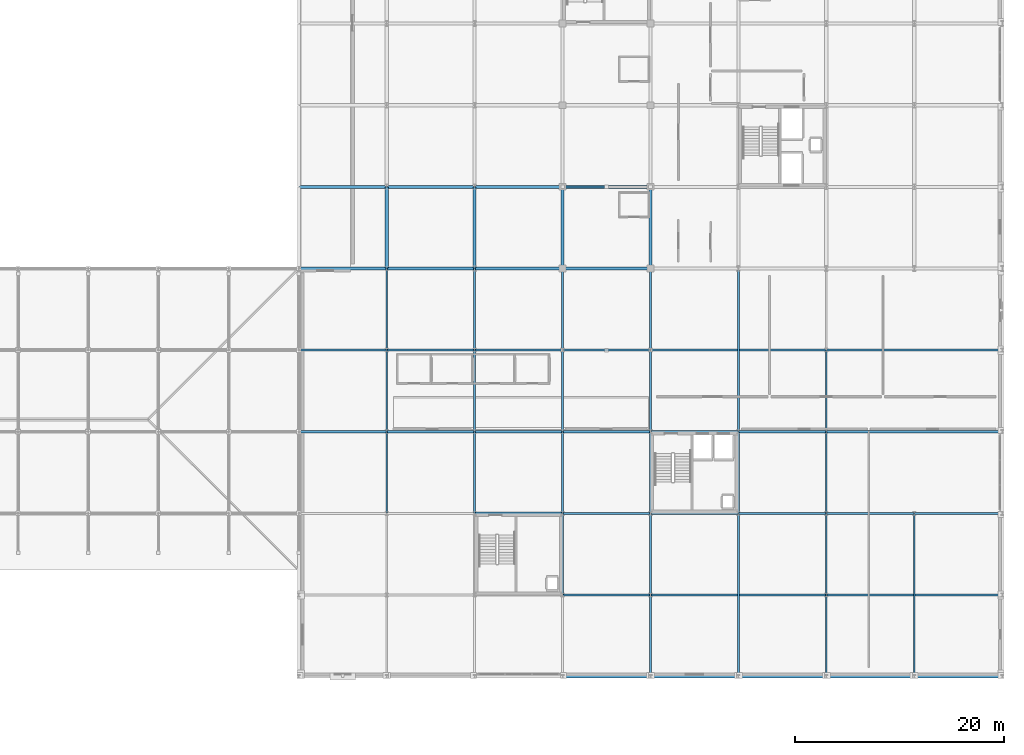
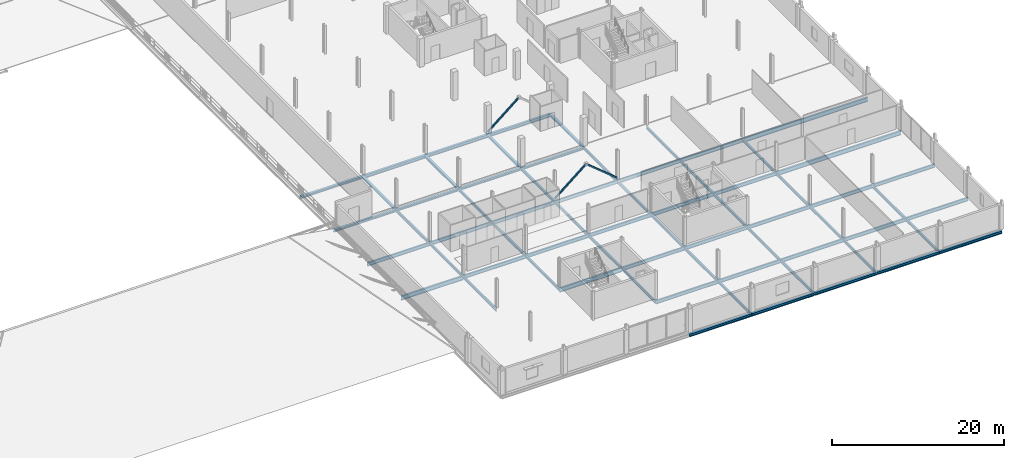
# One storey, part 39 of 77: 62 beams, 3 members.
"""IFC4 building model written with IfcOpenShell, lengths in metres."""

import ifcopenshell
import ifcopenshell.guid

model = None  # the IFC model being written
_history = None  # IfcOwnerHistory: only IFC2X3 demands one
_inside = {}  # id of a spatial element -> (the spatial element, [elements in it])
_under = {}  # id of a project, library or spatial element -> (it, [spatial elements below it])
_declared = {}  # id of a project -> (the project, [libraries it declares])
_typed = {}  # id of a type object -> (the type object, [elements of that type])
_made_of = {}  # id of a material, layer set ... -> (it, [elements and type objects made of it])


def new_model(schema):
    """Start an empty IFC model of exactly this schema.

    Asked for "IFC4X3", IfcOpenShell would pick the latest addendum, in which some entities
    have other attributes; the version numbers below select the first issue.
    IFC2X3 requires an IfcOwnerHistory on every rooted entity: one is made here for all.
    """
    global model, _history
    if schema == "IFC4X3":
        model = ifcopenshell.file(schema_version=(4, 3, 0, 0))
    else:
        model = ifcopenshell.file(schema=schema)
    _inside.clear()
    _under.clear()
    _declared.clear()
    _typed.clear()
    _made_of.clear()
    _history = None
    if model.schema == "IFC2X3":
        org = make("IfcOrganization", Name="unknown")
        user = make(
            "IfcPersonAndOrganization",
            ThePerson=make("IfcPerson", FamilyName="unknown"),
            TheOrganization=org,
        )
        app = make(
            "IfcApplication",
            ApplicationDeveloper=org,
            Version="unknown",
            ApplicationFullName="unknown",
            ApplicationIdentifier="unknown",
        )
        _history = make(
            "IfcOwnerHistory",
            OwningUser=user,
            OwningApplication=app,
            ChangeAction="ADDED",
            CreationDate=0,
        )
    return model


def make(cls, **values):
    """One entity of the class cls with the attributes given. An attribute that is None is left unset."""
    return model.create_entity(
        cls, **{name: value for name, value in values.items() if value is not None}
    )


def rooted(cls, **values):
    """An entity with a GlobalId (a new one), such as an element, a storey or a relation."""
    return make(cls, GlobalId=ifcopenshell.guid.new(), OwnerHistory=_history, **values)


def si_unit(unit_type, name, prefix=None):
    """IfcSIUnit, for example si_unit("LENGTHUNIT", "METRE", prefix="MILLI")."""
    return make("IfcSIUnit", UnitType=unit_type, Prefix=prefix, Name=name)


def assignment(units):
    """IfcUnitAssignment: the units of a project."""
    return None if units is None else make("IfcUnitAssignment", Units=units)


def point(xyz):
    """IfcCartesianPoint."""
    return None if xyz is None else make("IfcCartesianPoint", Coordinates=xyz)


def direction(xyz):
    """IfcDirection."""
    return None if xyz is None else make("IfcDirection", DirectionRatios=xyz)


def frame(location, z_axis=None, x_axis=None):
    """IfcAxis2Placement3D, a coordinate frame: its origin and axes. An axis left out is left unset."""
    return make(
        "IfcAxis2Placement3D",
        Location=point(location),
        Axis=direction(z_axis),
        RefDirection=direction(x_axis),
    )


def frame_2d(location, x_axis=None):
    """IfcAxis2Placement2D, a coordinate frame in the plane: its origin and x axis."""
    return make(
        "IfcAxis2Placement2D", Location=point(location), RefDirection=direction(x_axis)
    )


def origin():
    """The frame at (0, 0, 0) with its axes left unset."""
    return frame((0.0, 0.0, 0.0))


def origin_2d():
    """The frame at (0, 0) in the plane with its x axis left unset."""
    return frame_2d((0.0, 0.0))


def place(relative_to, where):
    """IfcLocalPlacement: puts the frame where relative to a parent placement (None: the world)."""
    return make(
        "IfcLocalPlacement", PlacementRelTo=relative_to, RelativePlacement=where
    )


def context(
    kind, dimensions, precision=None, world=None, true_north=None, identifier=None
):
    """IfcGeometricRepresentationContext, for example the 3D "Model" context."""
    return make(
        "IfcGeometricRepresentationContext",
        ContextIdentifier=identifier,
        ContextType=kind,
        CoordinateSpaceDimension=dimensions,
        Precision=precision,
        WorldCoordinateSystem=world,
        TrueNorth=true_north,
    )


def subcontext(parent, identifier, kind, view, scale=None):
    """IfcGeometricRepresentationSubContext, for example "Body" below "Model"."""
    return make(
        "IfcGeometricRepresentationSubContext",
        ContextIdentifier=identifier,
        ContextType=kind,
        ParentContext=parent,
        TargetScale=scale,
        TargetView=view,
    )


def project(units=None, contexts=None):
    """IfcProject with its units and contexts."""
    return rooted(
        "IfcProject",
        Name="project",
        RepresentationContexts=contexts,
        UnitsInContext=assignment(units),
    )


def spatial(cls, under=None, at=None, **own):
    """A site, building, storey or space (cls), placed at a placement, below another one or the project."""
    s = rooted(cls, ObjectPlacement=at, **own)
    if under is not None:
        _under.setdefault(under.id(), (under, []))[1].append(s)
    return s


def profile(cls, at=None, kind="AREA", **sizes):
    """A parametric profile (cls). Its sizes go by their IFC names, for example OverallWidth=200.0."""
    return make(cls, ProfileType=kind, Position=at, **sizes)


def hollow_rectangle(**sizes):
    """IfcRectangleHollowProfileDef."""
    return profile("IfcRectangleHollowProfileDef", **sizes)


def i_section(**sizes):
    """IfcIShapeProfileDef."""
    return profile("IfcIShapeProfileDef", **sizes)


def extrude(swept, where, along, depth):
    """IfcExtrudedAreaSolid: the profile swept, set in the frame where, extruded along a direction by depth."""
    return make(
        "IfcExtrudedAreaSolid",
        SweptArea=swept,
        Position=where,
        ExtrudedDirection=direction(along),
        Depth=depth,
    )


def shape(context_of_items, identifier, shape_type, items):
    """IfcShapeRepresentation: the items that make up one representation, for example the "Body"."""
    return make(
        "IfcShapeRepresentation",
        ContextOfItems=context_of_items,
        RepresentationIdentifier=identifier,
        RepresentationType=shape_type,
        Items=items,
    )


def material(Name=None, Category=None):
    """IfcMaterial."""
    return make("IfcMaterial", Name=Name, Category=Category)


def material_profile(
    of_material, cross_section, Name=None, Category=None, Priority=None
):
    """IfcMaterialProfile: a cross section and its material."""
    return make(
        "IfcMaterialProfile",
        Name=Name,
        Material=of_material,
        Profile=cross_section,
        Priority=Priority,
        Category=Category,
    )


def profile_set(profiles, Name=None, composite=None):
    """IfcMaterialProfileSet."""
    return make(
        "IfcMaterialProfileSet",
        Name=Name,
        MaterialProfiles=profiles,
        CompositeProfile=composite,
    )


def made_of(thing, what):
    """Note that an element or type object is made of a material, layer set ...; save() writes the relation."""
    if what is not None:
        _made_of.setdefault(what.id(), (what, []))[1].append(thing)
    return thing


def type_object(cls, material=None, **own):
    """A type object (cls), such as IfcWallType, which elements share."""
    return made_of(rooted(cls, **own), material)


def element(
    cls,
    number,
    at=None,
    inside=None,
    cuts=None,
    type_object=None,
    material=None,
    context=None,
    identifier="Body",
    shape_type=None,
    held_by="IfcProductDefinitionShape",
    body=None,
    shapes=None,
    **own,
):
    """One element of the class cls, such as IfcWall. Its Tag is "e" and its number.

    at: its placement. inside: the storey or other place that contains it. cuts: it is an
    opening in that element (IfcRelVoidsElement). A single representation is given by context,
    identifier, shape_type and body (its items); several are given by shapes. held_by: the class
    of the entity that holds the representations. save() writes the other relations.
    """
    e = rooted(cls, Tag="e%d" % number, ObjectPlacement=at, **own)
    if body is not None:
        shapes = [shape(context, identifier, shape_type, body)]
    if shapes is not None:
        e.Representation = make(held_by, Representations=shapes)
    if inside is not None:
        _inside.setdefault(inside.id(), (inside, []))[1].append(e)
    if cuts is not None:
        rooted(
            "IfcRelVoidsElement", RelatingBuildingElement=cuts, RelatedOpeningElement=e
        )
    if type_object is not None:
        _typed.setdefault(type_object.id(), (type_object, []))[1].append(e)
    return made_of(e, material)


def aggregate(whole, parts):
    """IfcRelAggregates: a whole, such as a stair, and the parts it consists of."""
    return rooted("IfcRelAggregates", RelatingObject=whole, RelatedObjects=parts)


def save(model, path):
    """Write the relations noted so far, then the file.

    IfcRelAggregates (storeys below a building ...), IfcRelContainedInSpatialStructure (elements
    in a storey), IfcRelDefinesByType, IfcRelAssociatesMaterial and IfcRelDeclares: one each for
    every whole, place, type object, material and project.
    """
    for whole, parts in _under.values():
        aggregate(whole, parts)
    for where, things in _inside.values():
        rooted(
            "IfcRelContainedInSpatialStructure",
            RelatedElements=things,
            RelatingStructure=where,
        )
    for kind, things in _typed.values():
        rooted("IfcRelDefinesByType", RelatedObjects=things, RelatingType=kind)
    for what, things in _made_of.values():
        rooted("IfcRelAssociatesMaterial", RelatedObjects=things, RelatingMaterial=what)
    for by, libraries in _declared.values():
        rooted("IfcRelDeclares", RelatingContext=by, RelatedDefinitions=libraries)
    model.write(path)


model = new_model("IFC4")

# Units and contexts
model_context = context("Model", 3, precision=1e-05, world=origin(), true_north=direction((0.0, 1.0)))
body_context = subcontext(model_context, "Body", "Model", "MODEL_VIEW")
ifc_project = project(units=[si_unit("LENGTHUNIT", "METRE"), si_unit("AREAUNIT", "SQUARE_METRE"), si_unit("VOLUMEUNIT", "CUBIC_METRE"), si_unit("PLANEANGLEUNIT", "RADIAN"), si_unit("MASSUNIT", "GRAM", prefix="KILO")], contexts=[model_context])

# Site, building, storey
site_placement = place(None, origin())
site = spatial("IfcSite", under=ifc_project, at=site_placement, CompositionType="ELEMENT")
building_placement = place(site_placement, origin())
building = spatial("IfcBuilding", under=site, at=building_placement, Name="Nabrawat Pavilion Hospital", CompositionType="ELEMENT")
storey_placement = place(building_placement, frame((0.0, 0.0, 14.85009765625)))
storey = spatial("IfcBuildingStorey", under=building, at=storey_placement, Name="L03", CompositionType="ELEMENT", Elevation=14.85009765625)

# Beams
ifc_material = material(Name="Steel S355", Category="steel")
ifc_material_profile_1 = material_profile(ifc_material, i_section(OverallWidth=0.300048828125, OverallDepth=0.43994140625, WebThickness=0.011474609375, FlangeThickness=0.02099609375, FilletRadius=0.027099609375, at=origin_2d()), Name="HEA 450")
ifc_profile_set_1 = profile_set([ifc_material_profile_1], Name="Steel S355")
beam_type_1 = type_object("IfcBeamType", Name="Mid-Tier Ward Girder HEA 450", PredefinedType="USERDEFINED", material=ifc_profile_set_1)
beam_1_placement = place(storey_placement, frame((134.419921875, 46.800048828125, -0.460205078125), z_axis=(1.0, 0.0, 0.0), x_axis=(0.0, 1.0, 0.0)))
element("IfcBeam", 1, at=beam_1_placement, inside=storey, type_object=beam_type_1, Name="L03 Primary X Girder 1484", ObjectType="GIRDER", PredefinedType="USERDEFINED", context=body_context, shape_type="SweptSolid", body=[
    extrude(i_section(OverallWidth=0.300048828125, OverallDepth=0.43994140625, WebThickness=0.011474609375, FlangeThickness=0.02099609375, FilletRadius=0.027099609375, at=origin_2d()), origin(), (0.0, 0.0, 1.0), 8.360107421875),
])
beam_2_placement = place(storey_placement, frame((142.820068359375, 46.800048828125, -0.460205078125), z_axis=(1.0, 0.0, 0.0), x_axis=(0.0, 1.0, 0.0)))
element("IfcBeam", 2, at=beam_2_placement, inside=storey, type_object=beam_type_1, Name="L03 Primary X Girder 1485", ObjectType="GIRDER", PredefinedType="USERDEFINED", context=body_context, shape_type="SweptSolid", body=[
    extrude(i_section(OverallWidth=0.300048828125, OverallDepth=0.43994140625, WebThickness=0.011474609375, FlangeThickness=0.02099609375, FilletRadius=0.027099609375, at=origin_2d()), origin(), (0.0, 0.0, 1.0), 8.35986328125),
])
beam_3_placement = place(storey_placement, frame((151.219970703125, 46.800048828125, -0.460205078125), z_axis=(1.0, 0.0, 0.0), x_axis=(0.0, 1.0, 0.0)))
element("IfcBeam", 3, at=beam_3_placement, inside=storey, type_object=beam_type_1, Name="L03 Primary X Girder 1486", ObjectType="GIRDER", PredefinedType="USERDEFINED", context=body_context, shape_type="SweptSolid", body=[
    extrude(i_section(OverallWidth=0.300048828125, OverallDepth=0.43994140625, WebThickness=0.011474609375, FlangeThickness=0.02099609375, FilletRadius=0.027099609375, at=origin_2d()), origin(), (0.0, 0.0, 1.0), 8.360107421875),
])
ifc_material_profile_2 = material_profile(ifc_material, i_section(OverallWidth=0.300048828125, OverallDepth=0.389892578125, WebThickness=0.010986328125, FlangeThickness=0.01904296875, FilletRadius=0.027099609375, at=origin_2d()), Name="HEA 400")
ifc_profile_set_2 = profile_set([ifc_material_profile_2], Name="Steel S355")
beam_type_2 = type_object("IfcBeamType", Name="Perimeter Moment Spandrel Beam HEA 400", PredefinedType="SPANDREL", material=ifc_profile_set_2)
beam_4_placement = place(storey_placement, frame((151.219970703125, 0.0, -0.425048828125), z_axis=(1.0, 0.0, 0.0), x_axis=(0.0, 1.0, 0.0)))
element("IfcBeam", 4, at=beam_4_placement, inside=storey, type_object=beam_type_2, Name="L03 Primary X Girder 1417", PredefinedType="SPANDREL", context=body_context, shape_type="SweptSolid", body=[
    extrude(i_section(OverallWidth=0.300048828125, OverallDepth=0.389892578125, WebThickness=0.010986328125, FlangeThickness=0.01904296875, FilletRadius=0.027099609375, at=origin_2d()), origin(), (0.0, 0.0, 1.0), 8.360107421875),
])
for number, where, z_axis, x_axis, name in (
    (5, (159.6201171875, 0.0, -0.425048828125), (1.0, 0.0, 0.0), (0.0, 1.0, 0.0), "L03 Primary X Girder 1418"),
    (6, (168.02001953125, 0.0, -0.425048828125), (1.0, 0.0, 0.0), (0.0, 1.0, 0.0), "L03 Primary X Girder 1419"),
):
    element("IfcBeam", number, at=place(storey_placement, frame(where, z_axis=z_axis, x_axis=x_axis)), inside=storey, type_object=beam_type_2, Name=name, PredefinedType="SPANDREL", context=body_context, shape_type="SweptSolid", body=[
        extrude(i_section(OverallWidth=0.300048828125, OverallDepth=0.389892578125, WebThickness=0.010986328125, FlangeThickness=0.01904296875, FilletRadius=0.027099609375, at=origin_2d()), origin(), (0.0, 0.0, 1.0), 8.35986328125),
    ])
beam_5_placement = place(storey_placement, frame((176.419921875, 0.0, -0.425048828125), z_axis=(1.0, 0.0, 0.0), x_axis=(0.0, 1.0, 0.0)))
element("IfcBeam", 7, at=beam_5_placement, inside=storey, type_object=beam_type_2, Name="L03 Primary X Girder 1420", PredefinedType="SPANDREL", context=body_context, shape_type="SweptSolid", body=[
    extrude(i_section(OverallWidth=0.300048828125, OverallDepth=0.389892578125, WebThickness=0.010986328125, FlangeThickness=0.01904296875, FilletRadius=0.027099609375, at=origin_2d()), origin(), (0.0, 0.0, 1.0), 8.360107421875),
])
beam_6_placement = place(storey_placement, frame((184.820068359375, 0.0, -0.425048828125), z_axis=(1.0, 0.0, 0.0), x_axis=(0.0, 1.0, 0.0)))
element("IfcBeam", 8, at=beam_6_placement, inside=storey, type_object=beam_type_2, Name="L03 Primary X Girder 1421", PredefinedType="SPANDREL", context=body_context, shape_type="SweptSolid", body=[
    extrude(i_section(OverallWidth=0.300048828125, OverallDepth=0.389892578125, WebThickness=0.010986328125, FlangeThickness=0.01904296875, FilletRadius=0.027099609375, at=origin_2d()), origin(), (0.0, 0.0, 1.0), 8.35986328125),
])
ifc_material_profile_3 = material_profile(ifc_material, i_section(OverallWidth=0.199951171875, OverallDepth=0.5, WebThickness=0.01025390625, FlangeThickness=0.01611328125, FilletRadius=0.02099609375, at=origin_2d()), Name="IPE 500")
ifc_profile_set_3 = profile_set([ifc_material_profile_3], Name="Steel S355")
beam_type_3 = type_object("IfcBeamType", Name="Standard X Floor Girder IPE 500", PredefinedType="USERDEFINED", material=ifc_profile_set_3)
beam_7_placement = place(storey_placement, frame((151.219970703125, 7.800048828125, -0.47998046875), z_axis=(1.0, 0.0, 0.0), x_axis=(0.0, 1.0, 0.0)))
element("IfcBeam", 9, at=beam_7_placement, inside=storey, type_object=beam_type_3, Name="L03 Primary X Girder 1425", ObjectType="GIRDER", PredefinedType="USERDEFINED", context=body_context, shape_type="SweptSolid", body=[
    extrude(i_section(OverallWidth=0.199951171875, OverallDepth=0.5, WebThickness=0.01025390625, FlangeThickness=0.01611328125, FilletRadius=0.02099609375, at=origin_2d()), origin(), (0.0, 0.0, 1.0), 8.360107421875),
])
beam_8_placement = place(storey_placement, frame((159.6201171875, 7.800048828125, -0.47998046875), z_axis=(1.0, 0.0, 0.0), x_axis=(0.0, 1.0, 0.0)))
element("IfcBeam", 10, at=beam_8_placement, inside=storey, type_object=beam_type_3, Name="L03 Primary X Girder 1426", ObjectType="GIRDER", PredefinedType="USERDEFINED", context=body_context, shape_type="SweptSolid", body=[
    extrude(i_section(OverallWidth=0.199951171875, OverallDepth=0.5, WebThickness=0.01025390625, FlangeThickness=0.01611328125, FilletRadius=0.02099609375, at=origin_2d()), origin(), (0.0, 0.0, 1.0), 16.759765625),
])
beam_9_placement = place(storey_placement, frame((176.419921875, 7.800048828125, -0.47998046875), z_axis=(1.0, 0.0, 0.0), x_axis=(0.0, 1.0, 0.0)))
element("IfcBeam", 11, at=beam_9_placement, inside=storey, type_object=beam_type_3, Name="L03 Primary X Girder 1427", ObjectType="GIRDER", PredefinedType="USERDEFINED", context=body_context, shape_type="SweptSolid", body=[
    extrude(i_section(OverallWidth=0.199951171875, OverallDepth=0.5, WebThickness=0.01025390625, FlangeThickness=0.01611328125, FilletRadius=0.02099609375, at=origin_2d()), origin(), (0.0, 0.0, 1.0), 16.760009765625),
])
beam_10_placement = place(storey_placement, frame((151.219970703125, 15.60009765625, -0.47998046875), z_axis=(1.0, 0.0, 0.0), x_axis=(0.0, 1.0, 0.0)))
element("IfcBeam", 12, at=beam_10_placement, inside=storey, type_object=beam_type_3, Name="L03 Primary X Girder 1441", ObjectType="GIRDER", PredefinedType="USERDEFINED", context=body_context, shape_type="SweptSolid", body=[
    extrude(i_section(OverallWidth=0.199951171875, OverallDepth=0.5, WebThickness=0.01025390625, FlangeThickness=0.01611328125, FilletRadius=0.02099609375, at=origin_2d()), origin(), (0.0, 0.0, 1.0), 8.360107421875),
])
for number, where, z_axis, x_axis, name in (
    (13, (159.6201171875, 15.60009765625, -0.47998046875), (1.0, 0.0, 0.0), (0.0, 1.0, 0.0), "L03 Primary X Girder 1442"),
    (14, (168.02001953125, 15.60009765625, -0.47998046875), (1.0, 0.0, 0.0), (0.0, 1.0, 0.0), "L03 Primary X Girder 1443"),
):
    element("IfcBeam", number, at=place(storey_placement, frame(where, z_axis=z_axis, x_axis=x_axis)), inside=storey, type_object=beam_type_3, Name=name, ObjectType="GIRDER", PredefinedType="USERDEFINED", context=body_context, shape_type="SweptSolid", body=[
        extrude(i_section(OverallWidth=0.199951171875, OverallDepth=0.5, WebThickness=0.01025390625, FlangeThickness=0.01611328125, FilletRadius=0.02099609375, at=origin_2d()), origin(), (0.0, 0.0, 1.0), 8.35986328125),
    ])
beam_11_placement = place(storey_placement, frame((176.419921875, 15.60009765625, -0.47998046875), z_axis=(1.0, 0.0, 0.0), x_axis=(0.0, 1.0, 0.0)))
element("IfcBeam", 15, at=beam_11_placement, inside=storey, type_object=beam_type_3, Name="L03 Primary X Girder 1444", ObjectType="GIRDER", PredefinedType="USERDEFINED", context=body_context, shape_type="SweptSolid", body=[
    extrude(i_section(OverallWidth=0.199951171875, OverallDepth=0.5, WebThickness=0.01025390625, FlangeThickness=0.01611328125, FilletRadius=0.02099609375, at=origin_2d()), origin(), (0.0, 0.0, 1.0), 8.360107421875),
])
beam_12_placement = place(storey_placement, frame((184.820068359375, 15.60009765625, -0.47998046875), z_axis=(1.0, 0.0, 0.0), x_axis=(0.0, 1.0, 0.0)))
element("IfcBeam", 16, at=beam_12_placement, inside=storey, type_object=beam_type_3, Name="L03 Primary X Girder 1445", ObjectType="GIRDER", PredefinedType="USERDEFINED", context=body_context, shape_type="SweptSolid", body=[
    extrude(i_section(OverallWidth=0.199951171875, OverallDepth=0.5, WebThickness=0.01025390625, FlangeThickness=0.01611328125, FilletRadius=0.02099609375, at=origin_2d()), origin(), (0.0, 0.0, 1.0), 8.35986328125),
])
beam_13_placement = place(storey_placement, frame((134.419921875, 23.39990234375, -0.47998046875), z_axis=(1.0, 0.0, 0.0), x_axis=(0.0, 1.0, 0.0)))
element("IfcBeam", 17, at=beam_13_placement, inside=storey, type_object=beam_type_3, Name="L03 Primary X Girder 1447", ObjectType="GIRDER", PredefinedType="USERDEFINED", context=body_context, shape_type="SweptSolid", body=[
    extrude(i_section(OverallWidth=0.199951171875, OverallDepth=0.5, WebThickness=0.01025390625, FlangeThickness=0.01611328125, FilletRadius=0.02099609375, at=origin_2d()), origin(), (0.0, 0.0, 1.0), 8.360107421875),
])
beam_14_placement = place(storey_placement, frame((142.820068359375, 23.39990234375, -0.47998046875), z_axis=(1.0, 0.0, 0.0), x_axis=(0.0, 1.0, 0.0)))
element("IfcBeam", 18, at=beam_14_placement, inside=storey, type_object=beam_type_3, Name="L03 Primary X Girder 1448", ObjectType="GIRDER", PredefinedType="USERDEFINED", context=body_context, shape_type="SweptSolid", body=[
    extrude(i_section(OverallWidth=0.199951171875, OverallDepth=0.5, WebThickness=0.01025390625, FlangeThickness=0.01611328125, FilletRadius=0.02099609375, at=origin_2d()), origin(), (0.0, 0.0, 1.0), 8.35986328125),
])
beam_15_placement = place(storey_placement, frame((151.219970703125, 23.39990234375, -0.47998046875), z_axis=(1.0, 0.0, 0.0), x_axis=(0.0, 1.0, 0.0)))
element("IfcBeam", 19, at=beam_15_placement, inside=storey, type_object=beam_type_3, Name="L03 Primary X Girder 1449", ObjectType="GIRDER", PredefinedType="USERDEFINED", context=body_context, shape_type="SweptSolid", body=[
    extrude(i_section(OverallWidth=0.199951171875, OverallDepth=0.5, WebThickness=0.01025390625, FlangeThickness=0.01611328125, FilletRadius=0.02099609375, at=origin_2d()), origin(), (0.0, 0.0, 1.0), 8.360107421875),
])
for number, where, z_axis, x_axis, name in (
    (20, (159.6201171875, 23.39990234375, -0.47998046875), (1.0, 0.0, 0.0), (0.0, 1.0, 0.0), "L03 Primary X Girder 1450"),
    (21, (168.02001953125, 23.39990234375, -0.47998046875), (1.0, 0.0, 0.0), (0.0, 1.0, 0.0), "L03 Primary X Girder 1451"),
    (22, (126.02001953125, 31.199951171875, -0.47998046875), (1.0, 0.0, 0.0), (0.0, 1.0, 0.0), "L03 Primary X Girder 1453"),
):
    element("IfcBeam", number, at=place(storey_placement, frame(where, z_axis=z_axis, x_axis=x_axis)), inside=storey, type_object=beam_type_3, Name=name, ObjectType="GIRDER", PredefinedType="USERDEFINED", context=body_context, shape_type="SweptSolid", body=[
        extrude(i_section(OverallWidth=0.199951171875, OverallDepth=0.5, WebThickness=0.01025390625, FlangeThickness=0.01611328125, FilletRadius=0.02099609375, at=origin_2d()), origin(), (0.0, 0.0, 1.0), 8.35986328125),
    ])
beam_16_placement = place(storey_placement, frame((134.419921875, 31.199951171875, -0.47998046875), z_axis=(1.0, 0.0, 0.0), x_axis=(0.0, 1.0, 0.0)))
element("IfcBeam", 23, at=beam_16_placement, inside=storey, type_object=beam_type_3, Name="L03 Primary X Girder 1454", ObjectType="GIRDER", PredefinedType="USERDEFINED", context=body_context, shape_type="SweptSolid", body=[
    extrude(i_section(OverallWidth=0.199951171875, OverallDepth=0.5, WebThickness=0.01025390625, FlangeThickness=0.01611328125, FilletRadius=0.02099609375, at=origin_2d()), origin(), (0.0, 0.0, 1.0), 8.360107421875),
])
beam_17_placement = place(storey_placement, frame((142.820068359375, 31.199951171875, -0.47998046875), z_axis=(1.0, 0.0, 0.0), x_axis=(0.0, 1.0, 0.0)))
element("IfcBeam", 24, at=beam_17_placement, inside=storey, type_object=beam_type_3, Name="L03 Primary X Girder 1455", ObjectType="GIRDER", PredefinedType="USERDEFINED", context=body_context, shape_type="SweptSolid", body=[
    extrude(i_section(OverallWidth=0.199951171875, OverallDepth=0.5, WebThickness=0.01025390625, FlangeThickness=0.01611328125, FilletRadius=0.02099609375, at=origin_2d()), origin(), (0.0, 0.0, 1.0), 8.35986328125),
])
beam_18_placement = place(storey_placement, frame((151.219970703125, 31.199951171875, -0.47998046875), z_axis=(1.0, 0.0, 0.0), x_axis=(0.0, 1.0, 0.0)))
element("IfcBeam", 25, at=beam_18_placement, inside=storey, type_object=beam_type_3, Name="L03 Primary X Girder 1456", ObjectType="GIRDER", PredefinedType="USERDEFINED", context=body_context, shape_type="SweptSolid", body=[
    extrude(i_section(OverallWidth=0.199951171875, OverallDepth=0.5, WebThickness=0.01025390625, FlangeThickness=0.01611328125, FilletRadius=0.02099609375, at=origin_2d()), origin(), (0.0, 0.0, 1.0), 8.360107421875),
])
beam_19_placement = place(storey_placement, frame((159.6201171875, 31.199951171875, -0.47998046875), z_axis=(1.0, 0.0, 0.0), x_axis=(0.0, 1.0, 0.0)))
element("IfcBeam", 26, at=beam_19_placement, inside=storey, type_object=beam_type_3, Name="L03 Primary X Girder 1457", ObjectType="GIRDER", PredefinedType="USERDEFINED", context=body_context, shape_type="SweptSolid", body=[
    extrude(i_section(OverallWidth=0.199951171875, OverallDepth=0.5, WebThickness=0.01025390625, FlangeThickness=0.01611328125, FilletRadius=0.02099609375, at=origin_2d()), origin(), (0.0, 0.0, 1.0), 16.759765625),
])
ifc_material_profile_4 = material_profile(ifc_material, i_section(OverallWidth=0.179931640625, OverallDepth=0.39990234375, WebThickness=0.008544921875, FlangeThickness=0.013427734375, FilletRadius=0.02099609375, at=origin_2d()), Name="IPE 400")
ifc_profile_set_4 = profile_set([ifc_material_profile_4], Name="Steel S355")
beam_type_4 = type_object("IfcBeamType", Name="Standard Y Floor Beam IPE 400", PredefinedType="BEAM", material=ifc_profile_set_4)
beam_20_placement = place(storey_placement, frame((134.39990234375, 15.6201171875, -0.43017578125), z_axis=(0.0, 1.0, 0.0), x_axis=(-1.0, 0.0, 0.0)))
element("IfcBeam", 27, at=beam_20_placement, inside=storey, type_object=beam_type_4, Name="L03 Primary Y Beam 1642", PredefinedType="BEAM", context=body_context, shape_type="SweptSolid", body=[
    extrude(i_section(OverallWidth=0.179931640625, OverallDepth=0.39990234375, WebThickness=0.008544921875, FlangeThickness=0.013427734375, FilletRadius=0.02099609375, at=origin_2d()), origin(), (0.0, 0.0, 1.0), 7.759765625),
])
for number, where, z_axis, x_axis, name in (
    (28, (134.39990234375, 23.419921875, -0.43017578125), (0.0, 1.0, 0.0), (-1.0, 0.0, 0.0), "L03 Primary Y Beam 1643"),
    (29, (134.39990234375, 31.219970703125, -0.43017578125), (0.0, 1.0, 0.0), (-1.0, 0.0, 0.0), "L03 Primary Y Beam 1644"),
):
    element("IfcBeam", number, at=place(storey_placement, frame(where, z_axis=z_axis, x_axis=x_axis)), inside=storey, type_object=beam_type_4, Name=name, PredefinedType="BEAM", context=body_context, shape_type="SweptSolid", body=[
        extrude(i_section(OverallWidth=0.179931640625, OverallDepth=0.39990234375, WebThickness=0.008544921875, FlangeThickness=0.013427734375, FilletRadius=0.02099609375, at=origin_2d()), origin(), (0.0, 0.0, 1.0), 7.760009765625),
    ])
beam_21_placement = place(storey_placement, frame((142.800048828125, 15.6201171875, -0.43017578125), z_axis=(0.0, 1.0, 0.0), x_axis=(-1.0, 0.0, 0.0)))
element("IfcBeam", 30, at=beam_21_placement, inside=storey, type_object=beam_type_4, Name="L03 Primary Y Beam 1658", PredefinedType="BEAM", context=body_context, shape_type="SweptSolid", body=[
    extrude(i_section(OverallWidth=0.179931640625, OverallDepth=0.39990234375, WebThickness=0.008544921875, FlangeThickness=0.013427734375, FilletRadius=0.02099609375, at=origin_2d()), origin(), (0.0, 0.0, 1.0), 7.759765625),
])
for number, where, z_axis, x_axis, name in (
    (31, (142.800048828125, 23.419921875, -0.43017578125), (0.0, 1.0, 0.0), (-1.0, 0.0, 0.0), "L03 Primary Y Beam 1659"),
    (32, (142.800048828125, 31.219970703125, -0.43017578125), (0.0, 1.0, 0.0), (-1.0, 0.0, 0.0), "L03 Primary Y Beam 1660"),
    (33, (151.199951171875, 7.820068359375, -0.43017578125), (0.0, 1.0, 0.0), (-1.0, 0.0, 0.0), "L03 Primary Y Beam 1673"),
):
    element("IfcBeam", number, at=place(storey_placement, frame(where, z_axis=z_axis, x_axis=x_axis)), inside=storey, type_object=beam_type_4, Name=name, PredefinedType="BEAM", context=body_context, shape_type="SweptSolid", body=[
        extrude(i_section(OverallWidth=0.179931640625, OverallDepth=0.39990234375, WebThickness=0.008544921875, FlangeThickness=0.013427734375, FilletRadius=0.02099609375, at=origin_2d()), origin(), (0.0, 0.0, 1.0), 7.760009765625),
    ])
beam_22_placement = place(storey_placement, frame((151.199951171875, 15.6201171875, -0.43017578125), z_axis=(0.0, 1.0, 0.0), x_axis=(-1.0, 0.0, 0.0)))
element("IfcBeam", 34, at=beam_22_placement, inside=storey, type_object=beam_type_4, Name="L03 Primary Y Beam 1674", PredefinedType="BEAM", context=body_context, shape_type="SweptSolid", body=[
    extrude(i_section(OverallWidth=0.179931640625, OverallDepth=0.39990234375, WebThickness=0.008544921875, FlangeThickness=0.013427734375, FilletRadius=0.02099609375, at=origin_2d()), origin(), (0.0, 0.0, 1.0), 7.759765625),
])
for number, where, z_axis, x_axis, name in (
    (35, (151.199951171875, 23.419921875, -0.43017578125), (0.0, 1.0, 0.0), (-1.0, 0.0, 0.0), "L03 Primary Y Beam 1675"),
    (36, (151.199951171875, 31.219970703125, -0.43017578125), (0.0, 1.0, 0.0), (-1.0, 0.0, 0.0), "L03 Primary Y Beam 1676"),
    (37, (159.60009765625, 0.02001953125, -0.43017578125), (0.0, 1.0, 0.0), (-1.0, 0.0, 0.0), "L03 Primary Y Beam 1688"),
    (38, (159.60009765625, 7.820068359375, -0.43017578125), (0.0, 1.0, 0.0), (-1.0, 0.0, 0.0), "L03 Primary Y Beam 1689"),
):
    element("IfcBeam", number, at=place(storey_placement, frame(where, z_axis=z_axis, x_axis=x_axis)), inside=storey, type_object=beam_type_4, Name=name, PredefinedType="BEAM", context=body_context, shape_type="SweptSolid", body=[
        extrude(i_section(OverallWidth=0.179931640625, OverallDepth=0.39990234375, WebThickness=0.008544921875, FlangeThickness=0.013427734375, FilletRadius=0.02099609375, at=origin_2d()), origin(), (0.0, 0.0, 1.0), 7.760009765625),
    ])
beam_23_placement = place(storey_placement, frame((159.60009765625, 15.6201171875, -0.43017578125), z_axis=(0.0, 1.0, 0.0), x_axis=(-1.0, 0.0, 0.0)))
element("IfcBeam", 39, at=beam_23_placement, inside=storey, type_object=beam_type_4, Name="L03 Primary Y Beam 1690", PredefinedType="BEAM", context=body_context, shape_type="SweptSolid", body=[
    extrude(i_section(OverallWidth=0.179931640625, OverallDepth=0.39990234375, WebThickness=0.008544921875, FlangeThickness=0.013427734375, FilletRadius=0.02099609375, at=origin_2d()), origin(), (0.0, 0.0, 1.0), 7.759765625),
])
for number, where, z_axis, x_axis, name in (
    (40, (159.60009765625, 23.419921875, -0.43017578125), (0.0, 1.0, 0.0), (-1.0, 0.0, 0.0), "L03 Primary Y Beam 1691"),
    (41, (159.60009765625, 31.219970703125, -0.43017578125), (0.0, 1.0, 0.0), (-1.0, 0.0, 0.0), "L03 Primary Y Beam 1692"),
):
    element("IfcBeam", number, at=place(storey_placement, frame(where, z_axis=z_axis, x_axis=x_axis)), inside=storey, type_object=beam_type_4, Name=name, PredefinedType="BEAM", context=body_context, shape_type="SweptSolid", body=[
        extrude(i_section(OverallWidth=0.179931640625, OverallDepth=0.39990234375, WebThickness=0.008544921875, FlangeThickness=0.013427734375, FilletRadius=0.02099609375, at=origin_2d()), origin(), (0.0, 0.0, 1.0), 7.760009765625),
    ])
beam_24_placement = place(storey_placement, frame((168.0, 0.02001953125, -0.43017578125), z_axis=(0.0, 1.0, 0.0), x_axis=(-1.0, 0.0, 0.0)))
element("IfcBeam", 42, at=beam_24_placement, inside=storey, type_object=beam_type_4, Name="L03 Primary Y Beam 1704", PredefinedType="BEAM", context=body_context, shape_type="SweptSolid", body=[
    extrude(i_section(OverallWidth=0.179931640625, OverallDepth=0.39990234375, WebThickness=0.008544921875, FlangeThickness=0.013427734375, FilletRadius=0.02099609375, at=origin_2d()), origin(), (0.0, 0.0, 1.0), 15.56005859375),
])
beam_25_placement = place(storey_placement, frame((168.0, 15.6201171875, -0.43017578125), z_axis=(0.0, 1.0, 0.0), x_axis=(-1.0, 0.0, 0.0)))
element("IfcBeam", 43, at=beam_25_placement, inside=storey, type_object=beam_type_4, Name="L03 Primary Y Beam 1705", PredefinedType="BEAM", context=body_context, shape_type="SweptSolid", body=[
    extrude(i_section(OverallWidth=0.179931640625, OverallDepth=0.39990234375, WebThickness=0.008544921875, FlangeThickness=0.013427734375, FilletRadius=0.02099609375, at=origin_2d()), origin(), (0.0, 0.0, 1.0), 7.759765625),
])
beam_26_placement = place(storey_placement, frame((168.0, 23.419921875, -0.43017578125), z_axis=(0.0, 1.0, 0.0), x_axis=(-1.0, 0.0, 0.0)))
element("IfcBeam", 44, at=beam_26_placement, inside=storey, type_object=beam_type_4, Name="L03 Primary Y Beam 1706", PredefinedType="BEAM", context=body_context, shape_type="SweptSolid", body=[
    extrude(i_section(OverallWidth=0.179931640625, OverallDepth=0.39990234375, WebThickness=0.008544921875, FlangeThickness=0.013427734375, FilletRadius=0.02099609375, at=origin_2d()), origin(), (0.0, 0.0, 1.0), 15.56005859375),
])
for number, where, z_axis, x_axis, name in (
    (45, (176.39990234375, 0.02001953125, -0.43017578125), (0.0, 1.0, 0.0), (-1.0, 0.0, 0.0), "L03 Primary Y Beam 1713"),
    (46, (176.39990234375, 7.820068359375, -0.43017578125), (0.0, 1.0, 0.0), (-1.0, 0.0, 0.0), "L03 Primary Y Beam 1714"),
):
    element("IfcBeam", number, at=place(storey_placement, frame(where, z_axis=z_axis, x_axis=x_axis)), inside=storey, type_object=beam_type_4, Name=name, PredefinedType="BEAM", context=body_context, shape_type="SweptSolid", body=[
        extrude(i_section(OverallWidth=0.179931640625, OverallDepth=0.39990234375, WebThickness=0.008544921875, FlangeThickness=0.013427734375, FilletRadius=0.02099609375, at=origin_2d()), origin(), (0.0, 0.0, 1.0), 7.760009765625),
    ])
beam_27_placement = place(storey_placement, frame((176.39990234375, 15.6201171875, -0.43017578125), z_axis=(0.0, 1.0, 0.0), x_axis=(-1.0, 0.0, 0.0)))
element("IfcBeam", 47, at=beam_27_placement, inside=storey, type_object=beam_type_4, Name="L03 Primary Y Beam 1715", PredefinedType="BEAM", context=body_context, shape_type="SweptSolid", body=[
    extrude(i_section(OverallWidth=0.179931640625, OverallDepth=0.39990234375, WebThickness=0.008544921875, FlangeThickness=0.013427734375, FilletRadius=0.02099609375, at=origin_2d()), origin(), (0.0, 0.0, 1.0), 7.759765625),
])
beam_28_placement = place(storey_placement, frame((176.39990234375, 23.419921875, -0.43017578125), z_axis=(0.0, 1.0, 0.0), x_axis=(-1.0, 0.0, 0.0)))
element("IfcBeam", 48, at=beam_28_placement, inside=storey, type_object=beam_type_4, Name="L03 Primary Y Beam 1716", PredefinedType="BEAM", context=body_context, shape_type="SweptSolid", body=[
    extrude(i_section(OverallWidth=0.179931640625, OverallDepth=0.39990234375, WebThickness=0.008544921875, FlangeThickness=0.013427734375, FilletRadius=0.02099609375, at=origin_2d()), origin(), (0.0, 0.0, 1.0), 7.760009765625),
])
beam_29_placement = place(storey_placement, frame((184.800048828125, 0.02001953125, -0.43017578125), z_axis=(0.0, 1.0, 0.0), x_axis=(-1.0, 0.0, 0.0)))
element("IfcBeam", 49, at=beam_29_placement, inside=storey, type_object=beam_type_4, Name="L03 Primary Y Beam 1729", PredefinedType="BEAM", context=body_context, shape_type="SweptSolid", body=[
    extrude(i_section(OverallWidth=0.179931640625, OverallDepth=0.39990234375, WebThickness=0.008544921875, FlangeThickness=0.013427734375, FilletRadius=0.02099609375, at=origin_2d()), origin(), (0.0, 0.0, 1.0), 15.56005859375),
])

# Members
ifc_material_profile_5 = material_profile(ifc_material, hollow_rectangle(XDim=0.179931640625, YDim=0.179931640625, WallThickness=0.010009765625, at=origin_2d()), Name="SHS 180x180x10")
ifc_profile_set_5 = profile_set([ifc_material_profile_5], Name="Steel S355")
member_type = type_object("IfcMemberType", Name="Upper Seismic Chevron Brace SHS 180x180x10", PredefinedType="BRACE", material=ifc_profile_set_5)
member_1_placement = place(storey_placement, frame((151.199951171875, 31.199951171875, 0.0498046875), z_axis=(0.772705010087, 0.0, 0.634765285273), x_axis=(0.0, 1.0, 0.0)))
element("IfcMember", 50, at=member_1_placement, inside=storey, type_object=member_type, Name="L03 Seismic Concentric Chevron Brace 043", PredefinedType="BRACE", context=body_context, shape_type="SweptSolid", body=[
    extrude(hollow_rectangle(XDim=0.179931640625, YDim=0.179931640625, WallThickness=0.010009765625, at=origin_2d()), origin(), (0.0, 0.0, 1.0), 5.435302734375),
])
member_2_placement = place(storey_placement, frame((159.60009765625, 31.199951171875, 0.0498046875), z_axis=(-0.772723107365, 0.0, 0.634743254666), x_axis=(0.0, -1.0, 0.0)))
element("IfcMember", 51, at=member_2_placement, inside=storey, type_object=member_type, Name="L03 Seismic Concentric Chevron Brace 044", PredefinedType="BRACE", context=body_context, shape_type="SweptSolid", body=[
    extrude(hollow_rectangle(XDim=0.179931640625, YDim=0.179931640625, WallThickness=0.010009765625, at=origin_2d()), origin(), (0.0, 0.0, 1.0), 5.435546875),
])
member_3_placement = place(storey_placement, frame((151.199951171875, 46.800048828125, 0.0498046875), z_axis=(0.772705010087, 0.0, 0.634765285273), x_axis=(0.0, 1.0, 0.0)))
element("IfcMember", 52, at=member_3_placement, inside=storey, type_object=member_type, Name="L03 Seismic Concentric Chevron Brace 055", PredefinedType="BRACE", context=body_context, shape_type="SweptSolid", body=[
    extrude(hollow_rectangle(XDim=0.179931640625, YDim=0.179931640625, WallThickness=0.010009765625, at=origin_2d()), origin(), (0.0, 0.0, 1.0), 5.435302734375),
])

# Beams
ifc_material_profile_6 = material_profile(ifc_material, i_section(OverallWidth=0.300048828125, OverallDepth=0.340087890625, WebThickness=0.011962890625, FlangeThickness=0.021484375, FilletRadius=0.027099609375, at=origin_2d()), Name="HEB 340")
ifc_profile_set_6 = profile_set([ifc_material_profile_6], Name="Steel S355")
beam_type_5 = type_object("IfcBeamType", Name="Ward Perimeter Spandrel Beam HEB 340", PredefinedType="SPANDREL", material=ifc_profile_set_6)
beam_30_placement = place(storey_placement, frame((126.02001953125, 39.0, -0.420166015625), z_axis=(1.0, 0.0, 0.0), x_axis=(0.0, 1.0, 0.0)))
element("IfcBeam", 53, at=beam_30_placement, inside=storey, type_object=beam_type_5, Name="L03 Primary X Girder 1474", PredefinedType="SPANDREL", context=body_context, shape_type="SweptSolid", body=[
    extrude(i_section(OverallWidth=0.300048828125, OverallDepth=0.340087890625, WebThickness=0.011962890625, FlangeThickness=0.021484375, FilletRadius=0.027099609375, at=origin_2d()), origin(), (0.0, 0.0, 1.0), 8.35986328125),
])
beam_31_placement = place(storey_placement, frame((134.419921875, 39.0, -0.41015625), z_axis=(1.0, 0.0, 0.0), x_axis=(0.0, 1.0, 0.0)))
element("IfcBeam", 54, at=beam_31_placement, inside=storey, type_object=beam_type_5, Name="L03 Primary X Girder 1475", PredefinedType="SPANDREL", context=body_context, shape_type="SweptSolid", body=[
    extrude(i_section(OverallWidth=0.300048828125, OverallDepth=0.340087890625, WebThickness=0.011962890625, FlangeThickness=0.021484375, FilletRadius=0.027099609375, at=origin_2d()), origin(), (0.0, 0.0, 1.0), 8.360107421875),
])
beam_32_placement = place(storey_placement, frame((142.820068359375, 39.0, -0.41015625), z_axis=(1.0, 0.0, 0.0), x_axis=(0.0, 1.0, 0.0)))
element("IfcBeam", 55, at=beam_32_placement, inside=storey, type_object=beam_type_5, Name="L03 Primary X Girder 1476", PredefinedType="SPANDREL", context=body_context, shape_type="SweptSolid", body=[
    extrude(i_section(OverallWidth=0.300048828125, OverallDepth=0.340087890625, WebThickness=0.011962890625, FlangeThickness=0.021484375, FilletRadius=0.027099609375, at=origin_2d()), origin(), (0.0, 0.0, 1.0), 8.35986328125),
])
beam_33_placement = place(storey_placement, frame((151.219970703125, 39.0, -0.41015625), z_axis=(1.0, 0.0, 0.0), x_axis=(0.0, 1.0, 0.0)))
element("IfcBeam", 56, at=beam_33_placement, inside=storey, type_object=beam_type_5, Name="L03 Primary X Girder 1477", PredefinedType="SPANDREL", context=body_context, shape_type="SweptSolid", body=[
    extrude(i_section(OverallWidth=0.300048828125, OverallDepth=0.340087890625, WebThickness=0.011962890625, FlangeThickness=0.021484375, FilletRadius=0.027099609375, at=origin_2d()), origin(), (0.0, 0.0, 1.0), 8.360107421875),
])
beam_34_placement = place(storey_placement, frame((126.02001953125, 46.800048828125, -0.420166015625), z_axis=(1.0, 0.0, 0.0), x_axis=(0.0, 1.0, 0.0)))
element("IfcBeam", 57, at=beam_34_placement, inside=storey, type_object=beam_type_5, Name="L03 Primary X Girder 1483", PredefinedType="SPANDREL", context=body_context, shape_type="SweptSolid", body=[
    extrude(i_section(OverallWidth=0.300048828125, OverallDepth=0.340087890625, WebThickness=0.011962890625, FlangeThickness=0.021484375, FilletRadius=0.027099609375, at=origin_2d()), origin(), (0.0, 0.0, 1.0), 8.35986328125),
])
ifc_material_profile_7 = material_profile(ifc_material, i_section(OverallWidth=0.300048828125, OverallDepth=0.31005859375, WebThickness=0.009033203125, FlangeThickness=0.015380859375, FilletRadius=0.027099609375, at=origin_2d()), Name="HEA 320")
ifc_profile_set_7 = profile_set([ifc_material_profile_7], Name="Steel S355")
beam_type_6 = type_object("IfcBeamType", Name="Ward Spine Beam HEA 320", PredefinedType="BEAM", material=ifc_profile_set_7)
for number, where, z_axis, x_axis, name in (
    (58, (134.39990234375, 39.02001953125, -0.39501953125), (0.0, 1.0, 0.0), (-1.0, 0.0, 0.0), "L03 Primary Y Beam 1645"),
    (59, (142.800048828125, 39.02001953125, -0.39501953125), (0.0, 1.0, 0.0), (-1.0, 0.0, 0.0), "L03 Primary Y Beam 1661"),
    (60, (151.199951171875, 39.02001953125, -0.39501953125), (0.0, 1.0, 0.0), (-1.0, 0.0, 0.0), "L03 Primary Y Beam 1677"),
    (61, (159.60009765625, 39.02001953125, -0.39501953125), (0.0, 1.0, 0.0), (-1.0, 0.0, 0.0), "L03 Primary Y Beam 1693"),
):
    element("IfcBeam", number, at=place(storey_placement, frame(where, z_axis=z_axis, x_axis=x_axis)), inside=storey, type_object=beam_type_6, Name=name, PredefinedType="BEAM", context=body_context, shape_type="SweptSolid", body=[
        extrude(i_section(OverallWidth=0.300048828125, OverallDepth=0.31005859375, WebThickness=0.009033203125, FlangeThickness=0.015380859375, FilletRadius=0.027099609375, at=origin_2d()), origin(), (0.0, 0.0, 1.0), 7.760009765625),
    ])
ifc_material_profile_8 = material_profile(ifc_material, i_section(OverallWidth=0.219970703125, OverallDepth=0.60009765625, WebThickness=0.011962890625, FlangeThickness=0.01904296875, FilletRadius=0.02392578125, at=origin_2d()), Name="IPE 600")
ifc_profile_set_8 = profile_set([ifc_material_profile_8], Name="Steel S355")
beam_type_7 = type_object("IfcBeamType", Name="Wide-Bay Floor Girder IPE 600", PredefinedType="USERDEFINED", material=ifc_profile_set_8)
for number, where, z_axis, x_axis, name in (
    (62, (142.820068359375, 15.60009765625, -0.530029296875), (1.0, 0.0, 0.0), (0.0, 1.0, 0.0), "L03 Primary X Girder 1440"),
    (63, (126.02001953125, 23.39990234375, -0.530029296875), (1.0, 0.0, 0.0), (0.0, 1.0, 0.0), "L03 Primary X Girder 1446"),
):
    element("IfcBeam", number, at=place(storey_placement, frame(where, z_axis=z_axis, x_axis=x_axis)), inside=storey, type_object=beam_type_7, Name=name, ObjectType="GIRDER", PredefinedType="USERDEFINED", context=body_context, shape_type="SweptSolid", body=[
        extrude(i_section(OverallWidth=0.219970703125, OverallDepth=0.60009765625, WebThickness=0.011962890625, FlangeThickness=0.01904296875, FilletRadius=0.02392578125, at=origin_2d()), origin(), (0.0, 0.0, 1.0), 8.35986328125),
    ])
for number, where, z_axis, x_axis, name in (
    (64, (176.419921875, 23.39990234375, -0.530029296875), (1.0, 0.0, 0.0), (0.0, 1.0, 0.0), "L03 Primary X Girder 1452"),
    (65, (176.419921875, 31.199951171875, -0.530029296875), (1.0, 0.0, 0.0), (0.0, 1.0, 0.0), "L03 Primary X Girder 1458"),
):
    element("IfcBeam", number, at=place(storey_placement, frame(where, z_axis=z_axis, x_axis=x_axis)), inside=storey, type_object=beam_type_7, Name=name, ObjectType="GIRDER", PredefinedType="USERDEFINED", context=body_context, shape_type="SweptSolid", body=[
        extrude(i_section(OverallWidth=0.219970703125, OverallDepth=0.60009765625, WebThickness=0.011962890625, FlangeThickness=0.01904296875, FilletRadius=0.02392578125, at=origin_2d()), origin(), (0.0, 0.0, 1.0), 16.760009765625),
    ])

save(model, "model.ifc")
